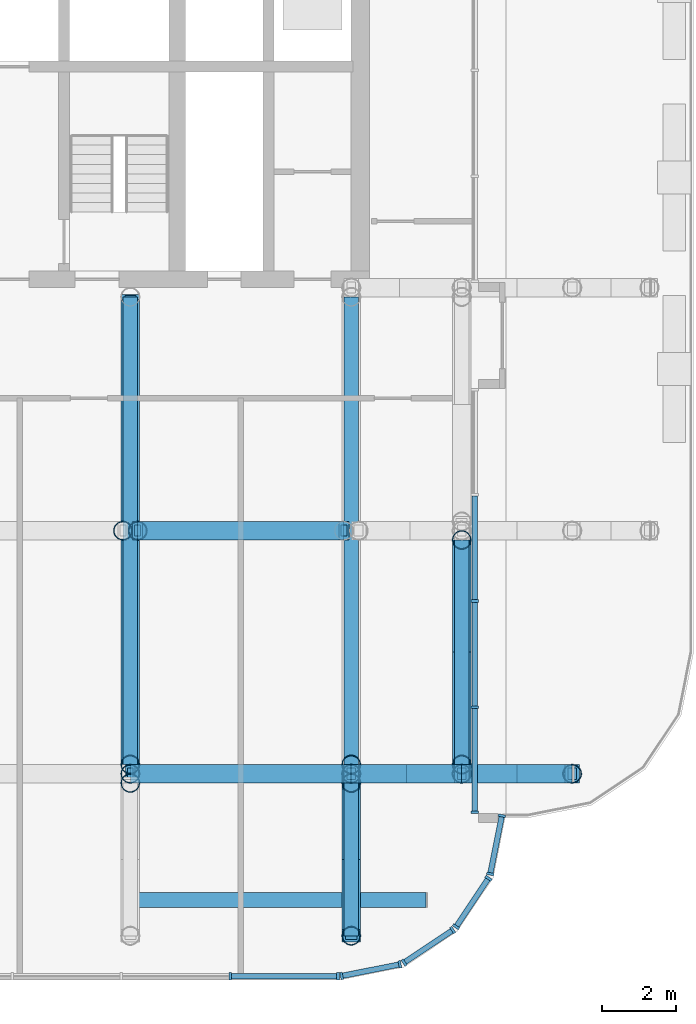
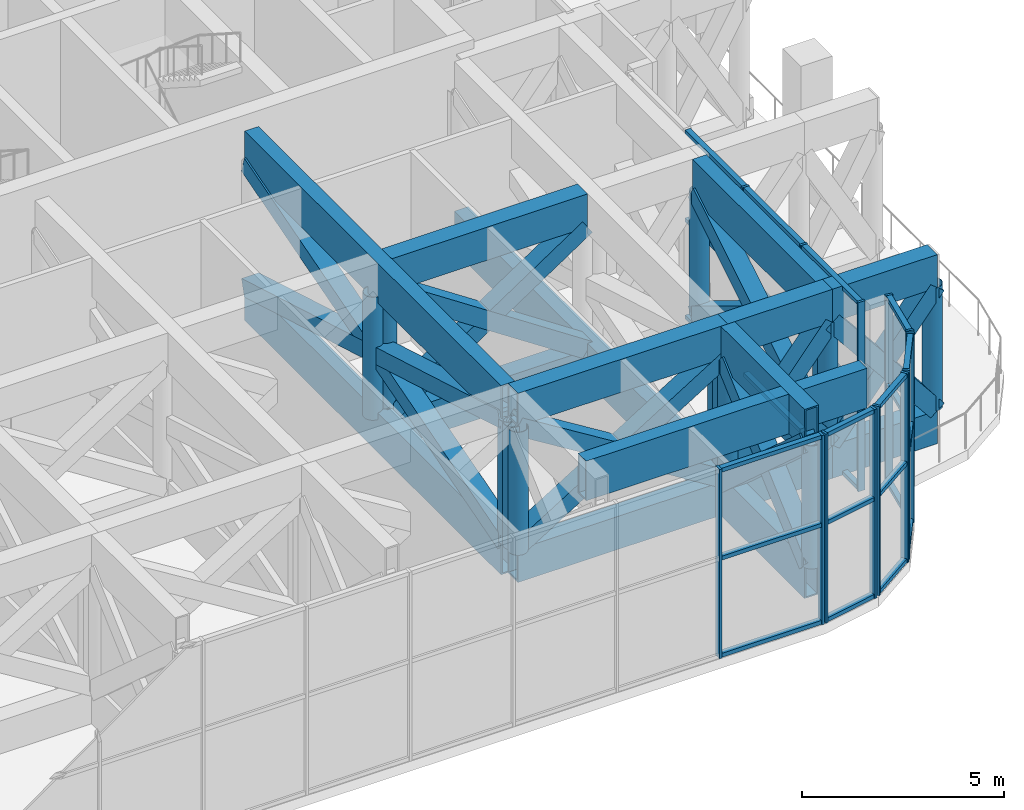
# One storey, part 5 of 25: 64 members, 16 beams, 6 elements without a shape of their own.
"""IFC4 building model written with IfcOpenShell, lengths in metres."""

from ifc_helpers import new_model, si_unit, direction, frame, origin, origin_2d, place, context, subcontext, project, spatial, rectangle, hollow_rectangle, hollow_circle, extrude, material, layer, layer_set, material_profile, profile_set, type_object, element, aggregate, save


model = new_model("IFC4")

# Units and contexts
model_context = context("Model", 3, precision=1e-05, world=origin(), true_north=direction((0.0, 1.0)))
body_context = subcontext(model_context, "Body", "Model", "MODEL_VIEW")
ifc_project = project(units=[si_unit("LENGTHUNIT", "METRE"), si_unit("AREAUNIT", "SQUARE_METRE"), si_unit("VOLUMEUNIT", "CUBIC_METRE"), si_unit("PLANEANGLEUNIT", "RADIAN"), si_unit("MASSUNIT", "GRAM", prefix="KILO")], contexts=[model_context])

# Site, building, storey
site_placement = place(None, origin())
site = spatial("IfcSite", under=ifc_project, at=site_placement, CompositionType="ELEMENT")
building_placement = place(site_placement, origin())
building = spatial("IfcBuilding", under=site, at=building_placement, Name="Torana Hotel and Residences", CompositionType="ELEMENT")
storey_placement = place(building_placement, frame((0.0, 0.0, 106.800048828125)))
storey = spatial("IfcBuildingStorey", under=building, at=storey_placement, Name="L27", CompositionType="ELEMENT", Elevation=106.800048828125)

# Curtain wall, members
ifc_material_1 = material(Name="Dark anodised aluminium", Category="aluminium")
ifc_layer = layer(ifc_material_1, 0.199951171875)
ifc_layer_set = layer_set([ifc_layer], Name="CW2 SKY LOBBY UNITISED CURTAIN WALL")
curtain_wall_type = type_object("IfcCurtainWallType", Name="CW2 SKY LOBBY UNITISED CURTAIN WALL", PredefinedType="NOTDEFINED", material=ifc_layer_set)
curtain_wall_1_placement = place(storey_placement, origin())
curtain_wall_1 = element("IfcCurtainWall", 1, at=curtain_wall_1_placement, inside=storey, type_object=curtain_wall_type, Name="Curtain wall CW2 L27 e0.14-1", PredefinedType="NOTDEFINED")
ifc_material_2 = material(Name="Dark anodised aluminium", Category="aluminium")
ifc_material_profile_1 = material_profile(ifc_material_2, rectangle(XDim=0.199951171875, YDim=0.070068359375, at=origin_2d()), Name="CW2 MULLION 70x200")
ifc_profile_set_1 = profile_set([ifc_material_profile_1], Name="Dark anodised aluminium")
member_type_1 = type_object("IfcMemberType", Name="CW2 MULLION 70x200", PredefinedType="MULLION", material=ifc_profile_set_1)
member_1_placement = place(storey_placement, frame((20.716064453125, -33.699951171875, 0.0), z_axis=(0.0, 0.0, 1.0), x_axis=(0.0, 1.0, 0.0)))
member_1 = element("IfcMember", 2, at=member_1_placement, type_object=member_type_1, Name="CW2 mullion 16", PredefinedType="MULLION", context=body_context, shape_type="SweptSolid", body=[
    extrude(rectangle(XDim=0.199951171875, YDim=0.070068359375, at=origin_2d()), origin(), (0.0, 0.0, 1.0), 5.719970703125),
])
member_2_placement = place(storey_placement, frame((23.640380859375, -33.699951171875, 0.0), z_axis=(0.0, 0.0, 1.0), x_axis=(0.0, 1.0, 0.0)))
member_2 = element("IfcMember", 3, at=member_2_placement, type_object=member_type_1, Name="CW2 mullion 17", PredefinedType="MULLION", context=body_context, shape_type="SweptSolid", body=[
    extrude(rectangle(XDim=0.199951171875, YDim=0.070068359375, at=origin_2d()), origin(), (0.0, 0.0, 1.0), 5.719970703125),
])

curtain_wall_2_placement = place(storey_placement, origin())
curtain_wall_2 = element("IfcCurtainWall", 4, at=curtain_wall_2_placement, inside=storey, type_object=curtain_wall_type, Name="Curtain wall CW2 L27 e0.15-1", PredefinedType="NOTDEFINED")
member_3_placement = place(storey_placement, frame((23.739013671875, -33.690185546875, 0.0), z_axis=(0.0, 0.0, 1.0), x_axis=(-0.195063848566, 0.980790545928, 0.0)))
member_3 = element("IfcMember", 5, at=member_3_placement, type_object=member_type_1, Name="CW2 mullion 1", PredefinedType="MULLION", context=body_context, shape_type="SweptSolid", body=[
    extrude(rectangle(XDim=0.199951171875, YDim=0.070068359375, at=origin_2d()), origin(), (0.0, 0.0, 1.0), 5.719970703125),
])
member_4_placement = place(storey_placement, frame((25.319580078125, -33.3759765625, 0.0), z_axis=(0.0, 0.0, 1.0), x_axis=(-0.195063848566, 0.980790545928, 0.0)))
member_4 = element("IfcMember", 6, at=member_4_placement, type_object=member_type_1, Name="CW2 mullion 2", PredefinedType="MULLION", context=body_context, shape_type="SweptSolid", body=[
    extrude(rectangle(XDim=0.199951171875, YDim=0.070068359375, at=origin_2d()), origin(), (0.0, 0.0, 1.0), 5.719970703125),
])

curtain_wall_3_placement = place(storey_placement, origin())
curtain_wall_3 = element("IfcCurtainWall", 7, at=curtain_wall_3_placement, inside=storey, type_object=curtain_wall_type, Name="Curtain wall CW2 L27 e0.16-1", PredefinedType="NOTDEFINED")
member_5_placement = place(storey_placement, frame((25.43701171875, -33.3271484375, 0.0), z_axis=(0.0, 0.0, 1.0), x_axis=(-0.555563713278, 0.831473968618, 0.0)))
member_5 = element("IfcMember", 8, at=member_5_placement, type_object=member_type_1, Name="CW2 mullion 1", PredefinedType="MULLION", context=body_context, shape_type="SweptSolid", body=[
    extrude(rectangle(XDim=0.199951171875, YDim=0.070068359375, at=origin_2d()), origin(), (0.0, 0.0, 1.0), 5.719970703125),
])
member_6_placement = place(storey_placement, frame((26.756103515625, -32.446044921875, 0.0), z_axis=(0.0, 0.0, 1.0), x_axis=(-0.555563713278, 0.831473968618, 0.0)))
member_6 = element("IfcMember", 9, at=member_6_placement, type_object=member_type_1, Name="CW2 mullion 2", PredefinedType="MULLION", context=body_context, shape_type="SweptSolid", body=[
    extrude(rectangle(XDim=0.199951171875, YDim=0.070068359375, at=origin_2d()), origin(), (0.0, 0.0, 1.0), 5.719970703125),
])

curtain_wall_4_placement = place(storey_placement, origin())
curtain_wall_4 = element("IfcCurtainWall", 10, at=curtain_wall_4_placement, inside=storey, type_object=curtain_wall_type, Name="Curtain wall CW2 L27 e0.17-1", PredefinedType="NOTDEFINED")
member_7_placement = place(storey_placement, frame((26.845947265625, -32.35595703125, 0.0), z_axis=(0.0, 0.0, 1.0), x_axis=(-0.831473968618, 0.555563713278, 0.0)))
member_7 = element("IfcMember", 11, at=member_7_placement, type_object=member_type_1, Name="CW2 mullion 1", PredefinedType="MULLION", context=body_context, shape_type="SweptSolid", body=[
    extrude(rectangle(XDim=0.199951171875, YDim=0.070068359375, at=origin_2d()), origin(), (0.0, 0.0, 1.0), 5.719970703125),
])
member_8_placement = place(storey_placement, frame((27.727294921875, -31.037109375, 0.0), z_axis=(0.0, 0.0, 1.0), x_axis=(-0.831473968618, 0.555563713278, 0.0)))
member_8 = element("IfcMember", 12, at=member_8_placement, type_object=member_type_1, Name="CW2 mullion 2", PredefinedType="MULLION", context=body_context, shape_type="SweptSolid", body=[
    extrude(rectangle(XDim=0.199951171875, YDim=0.070068359375, at=origin_2d()), origin(), (0.0, 0.0, 1.0), 5.719970703125),
])

curtain_wall_5_placement = place(storey_placement, origin())
curtain_wall_5 = element("IfcCurtainWall", 13, at=curtain_wall_5_placement, inside=storey, type_object=curtain_wall_type, Name="Curtain wall CW2 L27 e0.18-1", PredefinedType="NOTDEFINED")
member_9_placement = place(storey_placement, frame((27.77587890625, -30.91943359375, 0.0), z_axis=(0.0, 0.0, 1.0), x_axis=(-0.980790545928, 0.195063848566, 0.0)))
member_9 = element("IfcMember", 14, at=member_9_placement, type_object=member_type_1, Name="CW2 mullion 1", PredefinedType="MULLION", context=body_context, shape_type="SweptSolid", body=[
    extrude(rectangle(XDim=0.199951171875, YDim=0.070068359375, at=origin_2d()), origin(), (0.0, 0.0, 1.0), 5.719970703125),
])
member_10_placement = place(storey_placement, frame((28.09033203125, -29.3388671875, 0.0), z_axis=(0.0, 0.0, 1.0), x_axis=(-0.980790545928, 0.195063848566, 0.0)))
member_10 = element("IfcMember", 15, at=member_10_placement, type_object=member_type_1, Name="CW2 mullion 2", PredefinedType="MULLION", context=body_context, shape_type="SweptSolid", body=[
    extrude(rectangle(XDim=0.199951171875, YDim=0.070068359375, at=origin_2d()), origin(), (0.0, 0.0, 1.0), 5.719970703125),
])

curtain_wall_6_placement = place(storey_placement, origin())
curtain_wall_6 = element("IfcCurtainWall", 16, at=curtain_wall_6_placement, inside=storey, type_object=curtain_wall_type, Name="Curtain wall CW2 L27 e0.19-1", PredefinedType="NOTDEFINED")
member_11_placement = place(storey_placement, frame((27.35498046875, -29.240478515625, 0.0), z_axis=(0.0, 0.0, 1.0), x_axis=(-1.0, 0.0, 0.0)))
member_11 = element("IfcMember", 17, at=member_11_placement, type_object=member_type_1, Name="CW2 mullion 1", PredefinedType="MULLION", context=body_context, shape_type="SweptSolid", body=[
    extrude(rectangle(XDim=0.199951171875, YDim=0.070068359375, at=origin_2d()), origin(), (0.0, 0.0, 1.0), 5.719970703125),
])
member_12_placement = place(storey_placement, frame((27.35498046875, -26.39208984375, 0.0), z_axis=(0.0, 0.0, 1.0), x_axis=(-1.0, 0.0, 0.0)))
member_12 = element("IfcMember", 18, at=member_12_placement, type_object=member_type_1, Name="CW2 mullion 2", PredefinedType="MULLION", context=body_context, shape_type="SweptSolid", body=[
    extrude(rectangle(XDim=0.199951171875, YDim=0.070068359375, at=origin_2d()), origin(), (0.0, 0.0, 1.0), 5.719970703125),
])
member_13_placement = place(storey_placement, frame((27.35498046875, -23.508544921875, 0.0), z_axis=(0.0, 0.0, 1.0), x_axis=(-1.0, 0.0, 0.0)))
member_13 = element("IfcMember", 19, at=member_13_placement, type_object=member_type_1, Name="CW2 mullion 3", PredefinedType="MULLION", context=body_context, shape_type="SweptSolid", body=[
    extrude(rectangle(XDim=0.199951171875, YDim=0.070068359375, at=origin_2d()), origin(), (0.0, 0.0, 1.0), 5.719970703125),
])

# Member
ifc_material_3 = material(Name="Dark anodised aluminium", Category="aluminium")
ifc_material_profile_2 = material_profile(ifc_material_3, rectangle(XDim=0.14990234375, YDim=0.1201171875, at=origin_2d()), Name="CW2 TRANSOM 150x120")
ifc_profile_set_2 = profile_set([ifc_material_profile_2], Name="Dark anodised aluminium")
member_type_2 = type_object("IfcMemberType", Name="CW2 TRANSOM 150x120", PredefinedType="USERDEFINED", material=ifc_profile_set_2)
member_14_placement = place(storey_placement, frame((20.7509765625, -33.699951171875, 0.06005859375), z_axis=(1.0, 0.0, 0.0), x_axis=(0.0, 1.0, 0.0)))
member_14 = element("IfcMember", 20, at=member_14_placement, type_object=member_type_2, Name="CW2 transom 16.1", ObjectType="TRANSOM", PredefinedType="USERDEFINED", context=body_context, shape_type="SweptSolid", body=[
    extrude(rectangle(XDim=0.14990234375, YDim=0.1201171875, at=origin_2d()), origin(), (0.0, 0.0, 1.0), 2.8544921875),
])

member_15_placement = place(storey_placement, frame((20.7509765625, -33.699951171875, 3.0), z_axis=(1.0, 0.0, 0.0), x_axis=(0.0, 1.0, 0.0)))
member_15 = element("IfcMember", 21, at=member_15_placement, type_object=member_type_2, Name="CW2 transom 16.2", ObjectType="TRANSOM", PredefinedType="USERDEFINED", context=body_context, shape_type="SweptSolid", body=[
    extrude(rectangle(XDim=0.14990234375, YDim=0.1201171875, at=origin_2d()), origin(), (0.0, 0.0, 1.0), 2.8544921875),
])

member_16_placement = place(storey_placement, frame((20.7509765625, -33.699951171875, 5.659912109375), z_axis=(1.0, 0.0, 0.0), x_axis=(0.0, 1.0, 0.0)))
member_16 = element("IfcMember", 22, at=member_16_placement, type_object=member_type_2, Name="CW2 transom 16.3", ObjectType="TRANSOM", PredefinedType="USERDEFINED", context=body_context, shape_type="SweptSolid", body=[
    extrude(rectangle(XDim=0.14990234375, YDim=0.1201171875, at=origin_2d()), origin(), (0.0, 0.0, 1.0), 2.8544921875),
])

aggregate(curtain_wall_1, [member_1, member_2, member_14, member_15, member_16])

member_17_placement = place(storey_placement, frame((23.773193359375, -33.683349609375, 0.06005859375), z_axis=(0.980811462692, 0.194958648567, 0.0), x_axis=(-0.194958648567, 0.980811462692, 0.0)))
member_17 = element("IfcMember", 23, at=member_17_placement, type_object=member_type_2, Name="CW2 transom 1.1", ObjectType="TRANSOM", PredefinedType="USERDEFINED", context=body_context, shape_type="SweptSolid", body=[
    extrude(rectangle(XDim=0.14990234375, YDim=0.1201171875, at=origin_2d()), origin(), (0.0, 0.0, 1.0), 1.54150390625),
])

member_18_placement = place(storey_placement, frame((23.773193359375, -33.683349609375, 3.0), z_axis=(0.980811462692, 0.194958648567, 0.0), x_axis=(-0.194958648567, 0.980811462692, 0.0)))
member_18 = element("IfcMember", 24, at=member_18_placement, type_object=member_type_2, Name="CW2 transom 1.2", ObjectType="TRANSOM", PredefinedType="USERDEFINED", context=body_context, shape_type="SweptSolid", body=[
    extrude(rectangle(XDim=0.14990234375, YDim=0.1201171875, at=origin_2d()), origin(), (0.0, 0.0, 1.0), 1.54150390625),
])

member_19_placement = place(storey_placement, frame((23.773193359375, -33.683349609375, 5.659912109375), z_axis=(0.980811462692, 0.194958648567, 0.0), x_axis=(-0.194958648567, 0.980811462692, 0.0)))
member_19 = element("IfcMember", 25, at=member_19_placement, type_object=member_type_2, Name="CW2 transom 1.3", ObjectType="TRANSOM", PredefinedType="USERDEFINED", context=body_context, shape_type="SweptSolid", body=[
    extrude(rectangle(XDim=0.14990234375, YDim=0.1201171875, at=origin_2d()), origin(), (0.0, 0.0, 1.0), 1.54150390625),
])

aggregate(curtain_wall_2, [member_3, member_4, member_17, member_18, member_19])

member_20_placement = place(storey_placement, frame((25.466064453125, -33.307861328125, 0.06005859375), z_axis=(0.831430525328, 0.555628726357, 0.0), x_axis=(-0.555628726357, 0.831430525328, 0.0)))
member_20 = element("IfcMember", 26, at=member_20_placement, type_object=member_type_2, Name="CW2 transom 1.1", ObjectType="TRANSOM", PredefinedType="USERDEFINED", context=body_context, shape_type="SweptSolid", body=[
    extrude(rectangle(XDim=0.14990234375, YDim=0.1201171875, at=origin_2d()), origin(), (0.0, 0.0, 1.0), 1.516357421875),
])

member_21_placement = place(storey_placement, frame((25.466064453125, -33.307861328125, 3.0), z_axis=(0.831430525328, 0.555628726357, 0.0), x_axis=(-0.555628726357, 0.831430525328, 0.0)))
member_21 = element("IfcMember", 27, at=member_21_placement, type_object=member_type_2, Name="CW2 transom 1.2", ObjectType="TRANSOM", PredefinedType="USERDEFINED", context=body_context, shape_type="SweptSolid", body=[
    extrude(rectangle(XDim=0.14990234375, YDim=0.1201171875, at=origin_2d()), origin(), (0.0, 0.0, 1.0), 1.516357421875),
])

member_22_placement = place(storey_placement, frame((25.466064453125, -33.307861328125, 5.659912109375), z_axis=(0.831430525328, 0.555628726357, 0.0), x_axis=(-0.555628726357, 0.831430525328, 0.0)))
member_22 = element("IfcMember", 28, at=member_22_placement, type_object=member_type_2, Name="CW2 transom 1.3", ObjectType="TRANSOM", PredefinedType="USERDEFINED", context=body_context, shape_type="SweptSolid", body=[
    extrude(rectangle(XDim=0.14990234375, YDim=0.1201171875, at=origin_2d()), origin(), (0.0, 0.0, 1.0), 1.516357421875),
])

aggregate(curtain_wall_3, [member_5, member_6, member_20, member_21, member_22])

member_23_placement = place(storey_placement, frame((26.865478515625, -32.326904296875, 0.06005859375), z_axis=(0.555517412319, 0.83150490354, 0.0), x_axis=(-0.83150490354, 0.555517412319, 0.0)))
member_23 = element("IfcMember", 29, at=member_23_placement, type_object=member_type_2, Name="CW2 transom 1.1", ObjectType="TRANSOM", PredefinedType="USERDEFINED", context=body_context, shape_type="SweptSolid", body=[
    extrude(rectangle(XDim=0.14990234375, YDim=0.1201171875, at=origin_2d()), origin(), (0.0, 0.0, 1.0), 1.51611328125),
])

member_24_placement = place(storey_placement, frame((26.865478515625, -32.326904296875, 3.0), z_axis=(0.555517412319, 0.83150490354, 0.0), x_axis=(-0.83150490354, 0.555517412319, 0.0)))
member_24 = element("IfcMember", 30, at=member_24_placement, type_object=member_type_2, Name="CW2 transom 1.2", ObjectType="TRANSOM", PredefinedType="USERDEFINED", context=body_context, shape_type="SweptSolid", body=[
    extrude(rectangle(XDim=0.14990234375, YDim=0.1201171875, at=origin_2d()), origin(), (0.0, 0.0, 1.0), 1.51611328125),
])

member_25_placement = place(storey_placement, frame((26.865478515625, -32.326904296875, 5.659912109375), z_axis=(0.555517412319, 0.83150490354, 0.0), x_axis=(-0.83150490354, 0.555517412319, 0.0)))
member_25 = element("IfcMember", 31, at=member_25_placement, type_object=member_type_2, Name="CW2 transom 1.3", ObjectType="TRANSOM", PredefinedType="USERDEFINED", context=body_context, shape_type="SweptSolid", body=[
    extrude(rectangle(XDim=0.14990234375, YDim=0.1201171875, at=origin_2d()), origin(), (0.0, 0.0, 1.0), 1.51611328125),
])

aggregate(curtain_wall_4, [member_7, member_8, member_23, member_24, member_25])

member_26_placement = place(storey_placement, frame((27.78271484375, -30.88525390625, 0.06005859375), z_axis=(0.19511099609, 0.980781167848, 0.0), x_axis=(-0.980781167848, 0.19511099609, 0.0)))
member_26 = element("IfcMember", 32, at=member_26_placement, type_object=member_type_2, Name="CW2 transom 1.1", ObjectType="TRANSOM", PredefinedType="USERDEFINED", context=body_context, shape_type="SweptSolid", body=[
    extrude(rectangle(XDim=0.14990234375, YDim=0.1201171875, at=origin_2d()), origin(), (0.0, 0.0, 1.0), 1.54150390625),
])

member_27_placement = place(storey_placement, frame((27.78271484375, -30.88525390625, 3.0), z_axis=(0.19511099609, 0.980781167848, 0.0), x_axis=(-0.980781167848, 0.19511099609, 0.0)))
member_27 = element("IfcMember", 33, at=member_27_placement, type_object=member_type_2, Name="CW2 transom 1.2", ObjectType="TRANSOM", PredefinedType="USERDEFINED", context=body_context, shape_type="SweptSolid", body=[
    extrude(rectangle(XDim=0.14990234375, YDim=0.1201171875, at=origin_2d()), origin(), (0.0, 0.0, 1.0), 1.54150390625),
])

member_28_placement = place(storey_placement, frame((27.78271484375, -30.88525390625, 5.659912109375), z_axis=(0.19511099609, 0.980781167848, 0.0), x_axis=(-0.980781167848, 0.19511099609, 0.0)))
member_28 = element("IfcMember", 34, at=member_28_placement, type_object=member_type_2, Name="CW2 transom 1.3", ObjectType="TRANSOM", PredefinedType="USERDEFINED", context=body_context, shape_type="SweptSolid", body=[
    extrude(rectangle(XDim=0.14990234375, YDim=0.1201171875, at=origin_2d()), origin(), (0.0, 0.0, 1.0), 1.54150390625),
])

aggregate(curtain_wall_5, [member_9, member_10, member_26, member_27, member_28])

member_29_placement = place(storey_placement, frame((27.35498046875, -29.205322265625, 0.06005859375), z_axis=(0.0, 1.0, 0.0), x_axis=(-1.0, 0.0, 0.0)))
member_29 = element("IfcMember", 35, at=member_29_placement, type_object=member_type_2, Name="CW2 transom 1.1", ObjectType="TRANSOM", PredefinedType="USERDEFINED", context=body_context, shape_type="SweptSolid", body=[
    extrude(rectangle(XDim=0.14990234375, YDim=0.1201171875, at=origin_2d()), origin(), (0.0, 0.0, 1.0), 2.7783203125),
])

member_30_placement = place(storey_placement, frame((27.35498046875, -29.205322265625, 3.0), z_axis=(0.0, 1.0, 0.0), x_axis=(-1.0, 0.0, 0.0)))
member_30 = element("IfcMember", 36, at=member_30_placement, type_object=member_type_2, Name="CW2 transom 1.2", ObjectType="TRANSOM", PredefinedType="USERDEFINED", context=body_context, shape_type="SweptSolid", body=[
    extrude(rectangle(XDim=0.14990234375, YDim=0.1201171875, at=origin_2d()), origin(), (0.0, 0.0, 1.0), 2.7783203125),
])

member_31_placement = place(storey_placement, frame((27.35498046875, -29.205322265625, 5.659912109375), z_axis=(0.0, 1.0, 0.0), x_axis=(-1.0, 0.0, 0.0)))
member_31 = element("IfcMember", 37, at=member_31_placement, type_object=member_type_2, Name="CW2 transom 1.3", ObjectType="TRANSOM", PredefinedType="USERDEFINED", context=body_context, shape_type="SweptSolid", body=[
    extrude(rectangle(XDim=0.14990234375, YDim=0.1201171875, at=origin_2d()), origin(), (0.0, 0.0, 1.0), 2.7783203125),
])

member_32_placement = place(storey_placement, frame((27.35498046875, -26.35693359375, 0.06005859375), z_axis=(0.0, 1.0, 0.0), x_axis=(-1.0, 0.0, 0.0)))
member_32 = element("IfcMember", 38, at=member_32_placement, type_object=member_type_2, Name="CW2 transom 2.1", ObjectType="TRANSOM", PredefinedType="USERDEFINED", context=body_context, shape_type="SweptSolid", body=[
    extrude(rectangle(XDim=0.14990234375, YDim=0.1201171875, at=origin_2d()), origin(), (0.0, 0.0, 1.0), 2.8134765625),
])

member_33_placement = place(storey_placement, frame((27.35498046875, -26.35693359375, 3.0), z_axis=(0.0, 1.0, 0.0), x_axis=(-1.0, 0.0, 0.0)))
member_33 = element("IfcMember", 39, at=member_33_placement, type_object=member_type_2, Name="CW2 transom 2.2", ObjectType="TRANSOM", PredefinedType="USERDEFINED", context=body_context, shape_type="SweptSolid", body=[
    extrude(rectangle(XDim=0.14990234375, YDim=0.1201171875, at=origin_2d()), origin(), (0.0, 0.0, 1.0), 2.8134765625),
])

member_34_placement = place(storey_placement, frame((27.35498046875, -26.35693359375, 5.659912109375), z_axis=(0.0, 1.0, 0.0), x_axis=(-1.0, 0.0, 0.0)))
member_34 = element("IfcMember", 40, at=member_34_placement, type_object=member_type_2, Name="CW2 transom 2.3", ObjectType="TRANSOM", PredefinedType="USERDEFINED", context=body_context, shape_type="SweptSolid", body=[
    extrude(rectangle(XDim=0.14990234375, YDim=0.1201171875, at=origin_2d()), origin(), (0.0, 0.0, 1.0), 2.8134765625),
])

member_35_placement = place(storey_placement, frame((27.35498046875, -23.4736328125, 0.06005859375), z_axis=(0.0, 1.0, 0.0), x_axis=(-1.0, 0.0, 0.0)))
member_35 = element("IfcMember", 41, at=member_35_placement, type_object=member_type_2, Name="CW2 transom 3.1", ObjectType="TRANSOM", PredefinedType="USERDEFINED", context=body_context, shape_type="SweptSolid", body=[
    extrude(rectangle(XDim=0.14990234375, YDim=0.1201171875, at=origin_2d()), origin(), (0.0, 0.0, 1.0), 2.8134765625),
])

member_36_placement = place(storey_placement, frame((27.35498046875, -23.4736328125, 3.0), z_axis=(0.0, 1.0, 0.0), x_axis=(-1.0, 0.0, 0.0)))
member_36 = element("IfcMember", 42, at=member_36_placement, type_object=member_type_2, Name="CW2 transom 3.2", ObjectType="TRANSOM", PredefinedType="USERDEFINED", context=body_context, shape_type="SweptSolid", body=[
    extrude(rectangle(XDim=0.14990234375, YDim=0.1201171875, at=origin_2d()), origin(), (0.0, 0.0, 1.0), 2.8134765625),
])

member_37_placement = place(storey_placement, frame((27.35498046875, -23.4736328125, 5.659912109375), z_axis=(0.0, 1.0, 0.0), x_axis=(-1.0, 0.0, 0.0)))
member_37 = element("IfcMember", 43, at=member_37_placement, type_object=member_type_2, Name="CW2 transom 3.3", ObjectType="TRANSOM", PredefinedType="USERDEFINED", context=body_context, shape_type="SweptSolid", body=[
    extrude(rectangle(XDim=0.14990234375, YDim=0.1201171875, at=origin_2d()), origin(), (0.0, 0.0, 1.0), 2.8134765625),
])

aggregate(curtain_wall_6, [member_11, member_12, member_13, member_29, member_30, member_31, member_32, member_33, member_34, member_35, member_36, member_37])

# Beams
ifc_material_4 = material(Name="Steel S355", Category="steel")
ifc_material_profile_3 = material_profile(ifc_material_4, hollow_rectangle(XDim=0.5, YDim=1.0, WallThickness=0.050048828125, at=origin_2d()), Name="BOX 1000x500x50")
ifc_profile_set_3 = profile_set([ifc_material_profile_3], Name="Steel S355")
beam_type_1 = type_object("IfcBeamType", Name="STEEL CHORD BOX 1000x500x50", PredefinedType="BEAM", material=ifc_profile_set_3)
for number, where, z_axis, x_axis, name in (
    (44, (18.0, -28.199951171875, 0.5), (1.0, 0.0, 0.0), (0.0, 1.0, 0.0), "Transfer chord L27"),
    (45, (18.0, -28.199951171875, 5.219970703125), (1.0, 0.0, 0.0), (0.0, 1.0, 0.0), "Transfer chord L27"),
):
    element("IfcBeam", number, at=place(storey_placement, frame(where, z_axis=z_axis, x_axis=x_axis)), inside=storey, type_object=beam_type_1, Name=name, PredefinedType="BEAM", context=body_context, shape_type="SweptSolid", body=[
        extrude(hollow_rectangle(XDim=0.5, YDim=1.0, WallThickness=0.050048828125, at=origin_2d()), origin(), (0.0, 0.0, 1.0), 6.0),
    ])
for number, where, z_axis, x_axis, name in (
    (46, (24.0, -28.199951171875, 0.5), (1.0, 0.0, 0.0), (0.0, 1.0, 0.0), "Transfer chord L27"),
    (47, (24.0, -28.199951171875, 5.219970703125), (1.0, 0.0, 0.0), (0.0, 1.0, 0.0), "Transfer chord L27"),
    (48, (27.0, -28.199951171875, 0.5), (1.0, 0.0, 0.0), (0.0, 1.0, 0.0), "Transfer chord L27"),
    (49, (27.0, -28.199951171875, 5.219970703125), (1.0, 0.0, 0.0), (0.0, 1.0, 0.0), "Transfer chord L27"),
):
    element("IfcBeam", number, at=place(storey_placement, frame(where, z_axis=z_axis, x_axis=x_axis)), inside=storey, type_object=beam_type_1, Name=name, PredefinedType="BEAM", context=body_context, shape_type="SweptSolid", body=[
        extrude(hollow_rectangle(XDim=0.5, YDim=1.0, WallThickness=0.050048828125, at=origin_2d()), origin(), (0.0, 0.0, 1.0), 3.0),
    ])
for number, where, z_axis, x_axis, name in (
    (50, (18.199951171875, -21.60009765625, 0.5), (1.0, 0.0, 0.0), (0.0, 1.0, 0.0), "Transfer chord L27"),
    (51, (18.199951171875, -21.60009765625, 5.219970703125), (1.0, 0.0, 0.0), (0.0, 1.0, 0.0), "Transfer chord L27"),
):
    element("IfcBeam", number, at=place(storey_placement, frame(where, z_axis=z_axis, x_axis=x_axis)), inside=storey, type_object=beam_type_1, Name=name, PredefinedType="BEAM", context=body_context, shape_type="SweptSolid", body=[
        extrude(hollow_rectangle(XDim=0.5, YDim=1.0, WallThickness=0.050048828125, at=origin_2d()), origin(), (0.0, 0.0, 1.0), 5.60009765625),
    ])
ifc_material_5 = material(Name="Steel S355", Category="steel")
ifc_material_profile_4 = material_profile(ifc_material_5, hollow_rectangle(XDim=0.39990234375, YDim=1.199951171875, WallThickness=0.0400390625, at=origin_2d()), Name="BOX 1200x400x40")
ifc_profile_set_4 = profile_set([ifc_material_profile_4], Name="Steel S355")
beam_type_2 = type_object("IfcBeamType", Name="STEEL CHORD BOX 1200x400x40", PredefinedType="BEAM", material=ifc_profile_set_4)
for number, where, z_axis, x_axis, name in (
    (52, (18.0, -27.949951171875, 0.599853515625), (0.0, 1.0, 0.0), (-1.0, 0.0, 0.0), "Transfer chord L27"),
    (53, (18.0, -27.949951171875, 5.119873046875), (0.0, 1.0, 0.0), (-1.0, 0.0, 0.0), "Transfer chord L27"),
):
    element("IfcBeam", number, at=place(storey_placement, frame(where, z_axis=z_axis, x_axis=x_axis)), inside=storey, type_object=beam_type_2, Name=name, PredefinedType="BEAM", context=body_context, shape_type="SweptSolid", body=[
        extrude(hollow_rectangle(XDim=0.39990234375, YDim=1.199951171875, WallThickness=0.0400390625, at=origin_2d()), origin(), (0.0, 0.0, 1.0), 12.699951171875),
    ])
for number, where, z_axis, x_axis, name in (
    (54, (24.0, -32.60009765625, 0.599853515625), (0.0, 1.0, 0.0), (-1.0, 0.0, 0.0), "Transfer chord L27"),
    (55, (24.0, -32.60009765625, 5.119873046875), (0.0, 1.0, 0.0), (-1.0, 0.0, 0.0), "Transfer chord L27"),
):
    element("IfcBeam", number, at=place(storey_placement, frame(where, z_axis=z_axis, x_axis=x_axis)), inside=storey, type_object=beam_type_2, Name=name, PredefinedType="BEAM", context=body_context, shape_type="SweptSolid", body=[
        extrude(hollow_rectangle(XDim=0.39990234375, YDim=1.199951171875, WallThickness=0.0400390625, at=origin_2d()), origin(), (0.0, 0.0, 1.0), 4.150146484375),
    ])
beam_1_placement = place(storey_placement, frame((24.0, -27.949951171875, 0.599853515625), z_axis=(0.0, 1.0, 0.0), x_axis=(-1.0, 0.0, 0.0)))
element("IfcBeam", 56, at=beam_1_placement, inside=storey, type_object=beam_type_2, Name="Transfer chord L27", PredefinedType="BEAM", context=body_context, shape_type="SweptSolid", body=[
    extrude(hollow_rectangle(XDim=0.39990234375, YDim=1.199951171875, WallThickness=0.0400390625, at=origin_2d()), origin(), (0.0, 0.0, 1.0), 12.699951171875),
])
for number, where, z_axis, x_axis, name in (
    (57, (27.0, -27.949951171875, 0.599853515625), (0.0, 1.0, 0.0), (-1.0, 0.0, 0.0), "Transfer chord L27"),
    (58, (27.0, -27.949951171875, 5.119873046875), (0.0, 1.0, 0.0), (-1.0, 0.0, 0.0), "Transfer chord L27"),
):
    element("IfcBeam", number, at=place(storey_placement, frame(where, z_axis=z_axis, x_axis=x_axis)), inside=storey, type_object=beam_type_2, Name=name, PredefinedType="BEAM", context=body_context, shape_type="SweptSolid", body=[
        extrude(hollow_rectangle(XDim=0.39990234375, YDim=1.199951171875, WallThickness=0.0400390625, at=origin_2d()), origin(), (0.0, 0.0, 1.0), 6.099853515625),
    ])
beam_2_placement = place(storey_placement, frame((26.030029296875, -31.6298828125, 5.119873046875), z_axis=(-1.0, 0.0, 0.0), x_axis=(0.0, -1.0, 0.0)))
element("IfcBeam", 59, at=beam_2_placement, inside=storey, type_object=beam_type_2, Name="Transfer link L27", PredefinedType="BEAM", context=body_context, shape_type="SweptSolid", body=[
    extrude(hollow_rectangle(XDim=0.39990234375, YDim=1.199951171875, WallThickness=0.0400390625, at=origin_2d()), origin(), (0.0, 0.0, 1.0), 8.030029296875),
])

# Members
ifc_material_6 = material(Name="Steel S355", Category="steel")
ifc_material_profile_5 = material_profile(ifc_material_6, hollow_rectangle(XDim=0.5, YDim=0.5, WallThickness=0.10009765625, at=origin_2d()), Name="BOX 500x500x100")
ifc_profile_set_5 = profile_set([ifc_material_profile_5], Name="Steel S355")
member_type_3 = type_object("IfcMemberType", Name="STEEL DIAGONAL BOX 500x500x100", PredefinedType="BRACE", material=ifc_profile_set_5)
for number, where, z_axis, x_axis, name in (
    (60, (18.0, -28.199951171875, 1.0), (0.84990455024, 0.0, 0.526936671224), (0.0, 1.0, 0.0), "Truss diagonal L27"),
    (61, (24.0, -28.199951171875, 1.0), (-0.84990455024, 0.0, 0.526936671224), (0.0, -1.0, 0.0), "Truss diagonal L27"),
):
    element("IfcMember", number, at=place(storey_placement, frame(where, z_axis=z_axis, x_axis=x_axis)), inside=storey, type_object=member_type_3, Name=name, PredefinedType="BRACE", context=body_context, shape_type="SweptSolid", body=[
        extrude(hollow_rectangle(XDim=0.5, YDim=0.5, WallThickness=0.10009765625, at=origin_2d()), origin(), (0.0, 0.0, 1.0), 7.0595703125),
    ])
for number, where, z_axis, x_axis, name in (
    (62, (24.0, -28.199951171875, 1.0), (0.627755446821, 0.0, 0.778410623634), (0.0, 1.0, 0.0), "Truss diagonal L27"),
    (63, (27.0, -28.199951171875, 1.0), (-0.627755446821, 0.0, 0.778410623634), (0.0, -1.0, 0.0), "Truss diagonal L27"),
    (64, (27.0, -28.199951171875, 1.0), (0.627755446821, 0.0, 0.778410623634), (0.0, 1.0, 0.0), "Truss diagonal L27"),
    (65, (30.0, -28.199951171875, 1.0), (-0.627755446821, 0.0, 0.778410623634), (0.0, -1.0, 0.0), "Truss diagonal L27"),
):
    element("IfcMember", number, at=place(storey_placement, frame(where, z_axis=z_axis, x_axis=x_axis)), inside=storey, type_object=member_type_3, Name=name, PredefinedType="BRACE", context=body_context, shape_type="SweptSolid", body=[
        extrude(hollow_rectangle(XDim=0.5, YDim=0.5, WallThickness=0.10009765625, at=origin_2d()), origin(), (0.0, 0.0, 1.0), 4.779052734375),
    ])
for number, where, z_axis, x_axis, name in (
    (66, (18.199951171875, -21.60009765625, 1.0), (0.832970962809, 0.0, 0.553316704173), (0.0, 1.0, 0.0), "Truss diagonal L27"),
    (67, (23.800048828125, -21.60009765625, 1.0), (-0.832970962809, 0.0, 0.553316704173), (0.0, -1.0, 0.0), "Truss diagonal L27"),
):
    element("IfcMember", number, at=place(storey_placement, frame(where, z_axis=z_axis, x_axis=x_axis)), inside=storey, type_object=member_type_3, Name=name, PredefinedType="BRACE", context=body_context, shape_type="SweptSolid", body=[
        extrude(hollow_rectangle(XDim=0.5, YDim=0.5, WallThickness=0.10009765625, at=origin_2d()), origin(), (0.0, 0.0, 1.0), 6.72314453125),
    ])
for number, where, z_axis, x_axis, name in (
    (68, (18.0, -27.949951171875, 1.0), (0.0, 0.95967806702, 0.281101418851), (-1.0, 0.0, 0.0), "Truss diagonal L27"),
    (69, (18.0, -15.25, 1.0), (0.0, -0.95967806702, 0.281101418851), (1.0, 0.0, 0.0), "Truss diagonal L27"),
):
    element("IfcMember", number, at=place(storey_placement, frame(where, z_axis=z_axis, x_axis=x_axis)), inside=storey, type_object=member_type_3, Name=name, PredefinedType="BRACE", context=body_context, shape_type="SweptSolid", body=[
        extrude(hollow_rectangle(XDim=0.5, YDim=0.5, WallThickness=0.10009765625, at=origin_2d()), origin(), (0.0, 0.0, 1.0), 13.233642578125),
    ])
for number, where, z_axis, x_axis, name in (
    (70, (24.0, -32.60009765625, 1.0), (0.0, 0.74464526482, 0.66746043297), (-1.0, 0.0, 0.0), "Truss diagonal L27"),
    (71, (24.0, -28.449951171875, 1.0), (0.0, -0.74464526482, 0.66746043297), (1.0, 0.0, 0.0), "Truss diagonal L27"),
):
    element("IfcMember", number, at=place(storey_placement, frame(where, z_axis=z_axis, x_axis=x_axis)), inside=storey, type_object=member_type_3, Name=name, PredefinedType="BRACE", context=body_context, shape_type="SweptSolid", body=[
        extrude(hollow_rectangle(XDim=0.5, YDim=0.5, WallThickness=0.10009765625, at=origin_2d()), origin(), (0.0, 0.0, 1.0), 5.5732421875),
    ])
for number, where, z_axis, x_axis, name in (
    (72, (27.0, -27.949951171875, 1.0), (0.0, 0.853762091888, 0.520663317755), (-1.0, 0.0, 0.0), "Truss diagonal L27"),
    (73, (27.0, -21.85009765625, 1.0), (0.0, -0.853762091888, 0.520663317755), (1.0, 0.0, 0.0), "Truss diagonal L27"),
):
    element("IfcMember", number, at=place(storey_placement, frame(where, z_axis=z_axis, x_axis=x_axis)), inside=storey, type_object=member_type_3, Name=name, PredefinedType="BRACE", context=body_context, shape_type="SweptSolid", body=[
        extrude(hollow_rectangle(XDim=0.5, YDim=0.5, WallThickness=0.10009765625, at=origin_2d()), origin(), (0.0, 0.0, 1.0), 7.144775390625),
    ])
ifc_material_7 = material(Name="Steel S355", Category="steel")
ifc_material_profile_6 = material_profile(ifc_material_7, hollow_circle(Radius=0.25390625, WallThickness=0.01611328125, at=origin_2d()), Name="508x16 CHS")
ifc_profile_set_6 = profile_set([ifc_material_profile_6], Name="Steel S355")
member_type_4 = type_object("IfcMemberType", Name="STEEL POST 508x16 CHS", PredefinedType="POST", material=ifc_profile_set_6)
for number, where, z_axis, x_axis, name in (
    (74, (18.0, -28.199951171875, 1.0), (0.0, 0.0, 1.0), (1.0, 0.0, 0.0), "Truss post L27"),
    (75, (24.0, -28.199951171875, 1.0), (0.0, 0.0, 1.0), (1.0, 0.0, 0.0), "Truss post L27"),
    (76, (27.0, -28.199951171875, 1.0), (0.0, 0.0, 1.0), (1.0, 0.0, 0.0), "Truss post L27"),
    (77, (30.0, -28.199951171875, 1.0), (0.0, 0.0, 1.0), (1.0, 0.0, 0.0), "Truss post L27"),
    (78, (17.800048828125, -21.60009765625, 1.0), (0.0, 0.0, 1.0), (1.0, 0.0, 0.0), "Truss post L27"),
    (79, (18.199951171875, -21.60009765625, 1.0), (0.0, 0.0, 1.0), (1.0, 0.0, 0.0), "Truss post L27"),
    (80, (18.0, -28.449951171875, 1.0), (0.0, 0.0, 1.0), (1.0, 0.0, 0.0), "Truss post L27"),
    (81, (18.0, -27.949951171875, 1.0), (0.0, 0.0, 1.0), (1.0, 0.0, 0.0), "Truss post L27"),
    (82, (24.0, -32.60009765625, 1.0), (0.0, 0.0, 1.0), (1.0, 0.0, 0.0), "Truss post L27"),
    (83, (24.0, -28.449951171875, 1.0), (0.0, 0.0, 1.0), (1.0, 0.0, 0.0), "Truss post L27"),
    (84, (24.0, -27.949951171875, 1.0), (0.0, 0.0, 1.0), (1.0, 0.0, 0.0), "Truss post L27"),
    (85, (27.0, -27.949951171875, 1.0), (0.0, 0.0, 1.0), (1.0, 0.0, 0.0), "Truss post L27"),
    (86, (27.0, -21.85009765625, 1.0), (0.0, 0.0, 1.0), (1.0, 0.0, 0.0), "Truss post L27"),
):
    element("IfcMember", number, at=place(storey_placement, frame(where, z_axis=z_axis, x_axis=x_axis)), inside=storey, type_object=member_type_4, Name=name, PredefinedType="POST", context=body_context, shape_type="SweptSolid", body=[
        extrude(hollow_circle(Radius=0.25390625, WallThickness=0.01611328125, at=origin_2d()), origin(), (0.0, 0.0, 1.0), 3.719970703125),
    ])

save(model, "model.ifc")
